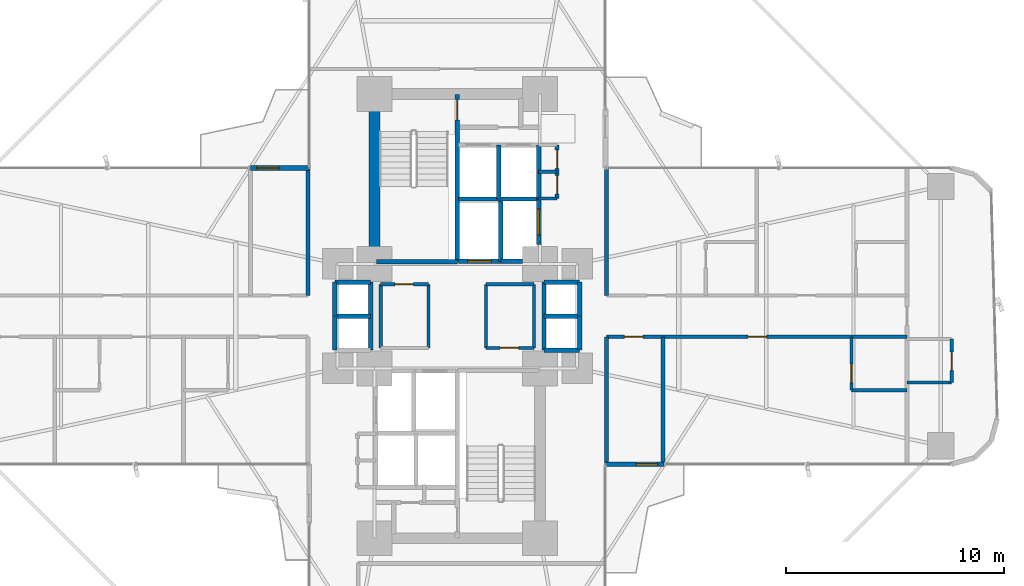
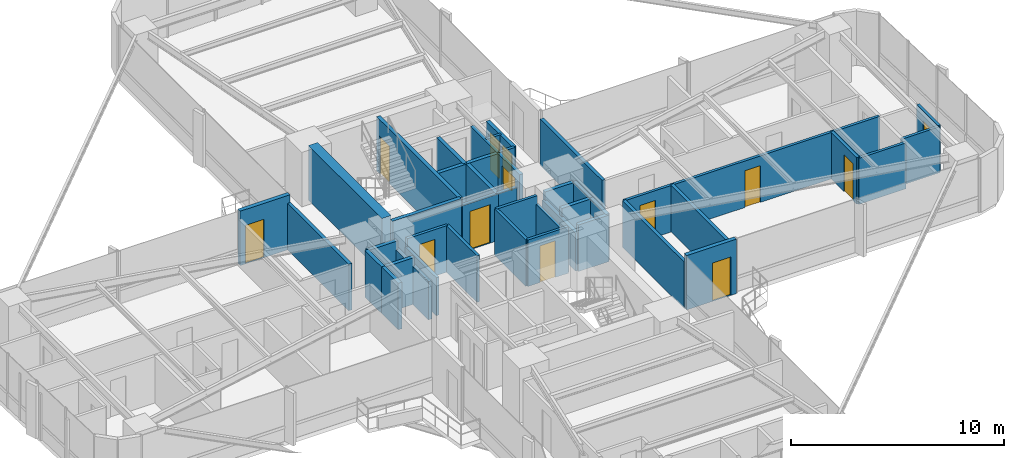
# One storey, part 23 of 25: 42 walls, 13 doors, 13 openings.
"""IFC4 building model written with IfcOpenShell, lengths in metres."""

from ifc_helpers import new_model, si_unit, direction, frame, frame_2d, origin, origin_2d, place, context, subcontext, project, spatial, rectangle, extrude, source, transform, mapped, material, layer, layer_set, type_object, element, fill, save


model = new_model("IFC4")

# Units and contexts
model_context = context("Model", 3, precision=1e-05, world=origin(), true_north=direction((0.0, 1.0)))
body_context = subcontext(model_context, "Body", "Model", "MODEL_VIEW")
ifc_project = project(units=[si_unit("LENGTHUNIT", "METRE"), si_unit("AREAUNIT", "SQUARE_METRE"), si_unit("VOLUMEUNIT", "CUBIC_METRE"), si_unit("PLANEANGLEUNIT", "RADIAN"), si_unit("MASSUNIT", "GRAM", prefix="KILO")], contexts=[model_context])

# Site, building, storey
site_placement = place(None, origin())
site = spatial("IfcSite", under=ifc_project, at=site_placement, CompositionType="ELEMENT")
building_placement = place(site_placement, origin())
building = spatial("IfcBuilding", under=site, at=building_placement, Name="Sahyath Konkavel Grand Hotel", CompositionType="ELEMENT")
storey_placement = place(building_placement, frame((0.0, 0.0, 57.75)))
storey = spatial("IfcBuildingStorey", under=building, at=storey_placement, Name="L15", CompositionType="ELEMENT", Elevation=57.75)

# Wall
ifc_material_1 = material(Name="Concrete C70/85", Category="concrete")
ifc_layer_1 = layer(ifc_material_1, 0.5)
ifc_layer_set_1 = layer_set([ifc_layer_1], Name="Concrete C70/85")
wall_type_1 = type_object("IfcWallType", Name="CWALL-500", PredefinedType="SHEAR", material=ifc_layer_set_1)
wall_1_placement = place(storey_placement, frame((-3.800048828125, 2.85009765625, 0.0), z_axis=(0.0, 0.0, 1.0), x_axis=(0.0, 1.0, 0.0)))
element("IfcWall", 1, at=wall_1_placement, inside=storey, type_object=wall_type_1, Name="L15 North Core Shear Wall W", PredefinedType="SHEAR", context=body_context, shape_type="SweptSolid", body=[
    extrude(rectangle(XDim=6.89990234375, YDim=0.5, at=frame_2d((3.449951171875, 0.0))), origin(), (0.0, 0.0, 1.0), 3.110107421875),
])

# Wall, opening, door
ifc_material_2 = material(Name="Warm Buff Sandstone Insulated Concrete C40/50", Category="masonry")
ifc_layer_2 = layer(ifc_material_2, 0.219970703125)
ifc_layer_set_2 = layer_set([ifc_layer_2], Name="Warm Buff Sandstone Insulated Concrete C40/50")
wall_type_2 = type_object("IfcWallType", Name="WLL-BALC-THRESH", PredefinedType="STANDARD", material=ifc_layer_set_2)
wall_2_placement = place(storey_placement, frame((6.800048828125, -6.800048828125, 0.0), z_axis=(0.0, 0.0, 1.0), x_axis=(1.0, 0.0, 0.0)))
wall_2 = element("IfcWall", 2, at=wall_2_placement, inside=storey, type_object=wall_type_2, Name="L15 Winter-Garden Threshold Wall 0", PredefinedType="STANDARD", context=body_context, shape_type="SweptSolid", body=[
    extrude(rectangle(XDim=2.699951171875, YDim=0.219970703125, at=frame_2d((1.35009765625, 0.0))), origin(), (0.0, 0.0, 1.0), 3.110107421875),
])
opening_1_placement = place(wall_2_placement, frame((1.39990234375, 0.0, 0.0)))
opening_1 = element("IfcOpeningElement", 3, at=opening_1_placement, cuts=wall_2, Name="Opening D-TR1", PredefinedType="OPENING", context=body_context, shape_type="SweptSolid", body=[
    extrude(rectangle(XDim=1.0, YDim=2.199951171875, at=frame_2d((0.5, 1.10009765625))), frame((0.0, 0.1201171875, 0.0), z_axis=(0.0, -1.0, 0.0), x_axis=(1.0, 0.0, 0.0)), (0.0, 0.0, 1.0), 0.239990234375),
])
ifc_material_3 = material(Name="Anodised Bronze Aluminium & Low-E Glazing", Category="aluminium")
door_type_1 = type_object("IfcDoorType", Name="DR-TERRACE-1000", OperationType="NOTDEFINED", PredefinedType="DOOR", material=ifc_material_3)
shared_shape_1 = source(origin(), body_context, "Body", "SweptSolid", [
    extrude(rectangle(XDim=1.0, YDim=0.050048828125, at=origin_2d()), origin(), (0.0, 0.0, 1.0), 2.199951171875),
])
door_1_placement = place(opening_1_placement, frame((0.5, 0.0, 0.0)))
door_1 = element("IfcDoor", 4, at=door_1_placement, inside=storey, type_object=door_type_1, Name="L15 Winter-Garden Terrace Door 0", OperationType="SINGLE_SWING_LEFT", OverallHeight=2.199951171875, OverallWidth=1.0, PredefinedType="DOOR", context=body_context, shape_type="MappedRepresentation", body=[
    mapped(shared_shape_1, transform((0.0, 0.0, 0.0), scale=1.0)),
])
fill(opening_1, door_1)

wall_3_placement = place(storey_placement, frame((-6.800048828125, 6.800048828125, 0.0), z_axis=(0.0, 0.0, 1.0), x_axis=(-1.0, 0.0, 0.0)))
wall_3 = element("IfcWall", 5, at=wall_3_placement, inside=storey, type_object=wall_type_2, Name="L15 Winter-Garden Threshold Wall 16", PredefinedType="STANDARD", context=body_context, shape_type="SweptSolid", body=[
    extrude(rectangle(XDim=2.699951171875, YDim=0.219970703125, at=frame_2d((1.35009765625, 0.0))), origin(), (0.0, 0.0, 1.0), 3.110107421875),
])
opening_2_placement = place(wall_3_placement, frame((1.39990234375, 0.0, 0.0)))
opening_2 = element("IfcOpeningElement", 6, at=opening_2_placement, cuts=wall_3, Name="Opening D-TR1", PredefinedType="OPENING", context=body_context, shape_type="SweptSolid", body=[
    extrude(rectangle(XDim=1.0, YDim=2.199951171875, at=frame_2d((0.5, 1.10009765625))), frame((0.0, 0.1201171875, 0.0), z_axis=(0.0, -1.0, 0.0), x_axis=(1.0, 0.0, 0.0)), (0.0, 0.0, 1.0), 0.239990234375),
])
door_2_placement = place(opening_2_placement, frame((0.5, 0.0, 0.0)))
door_2 = element("IfcDoor", 7, at=door_2_placement, inside=storey, type_object=door_type_1, Name="L15 Winter-Garden Terrace Door 16", OperationType="SINGLE_SWING_LEFT", OverallHeight=2.199951171875, OverallWidth=1.0, PredefinedType="DOOR", context=body_context, shape_type="MappedRepresentation", body=[
    mapped(shared_shape_1, transform((0.0, 0.0, 0.0), scale=1.0)),
])
fill(opening_2, door_2)

ifc_material_4 = material(Name="Concrete C40/50", Category="concrete")
ifc_layer_3 = layer(ifc_material_4, 0.199951171875)
ifc_layer_set_3 = layer_set([ifc_layer_3], Name="Concrete C40/50")
wall_type_3 = type_object("IfcWallType", Name="WLL-CORE-200", PredefinedType="SOLIDWALL", material=ifc_layer_set_3)
wall_4_placement = place(storey_placement, frame((0.0, 2.5, 0.0), z_axis=(0.0, 0.0, 1.0), x_axis=(0.0, 1.0, 0.0)))
wall_4 = element("IfcWall", 8, at=wall_4_placement, inside=storey, type_object=wall_type_3, Name="L15 Stair ST-1 Shaft Wall E", PredefinedType="SOLIDWALL", context=body_context, shape_type="SweptSolid", body=[
    extrude(rectangle(XDim=7.679931640625, YDim=0.199951171875, at=frame_2d((3.83984375, 0.0))), origin(), (0.0, 0.0, 1.0), 3.110107421875),
])
opening_3_placement = place(wall_4_placement, frame((6.5, 0.0, 0.0)))
opening_3 = element("IfcOpeningElement", 9, at=opening_3_placement, cuts=wall_4, Name="Opening D-F12C", PredefinedType="OPENING", context=body_context, shape_type="SweptSolid", body=[
    extrude(rectangle(XDim=0.949951171875, YDim=2.14990234375, at=frame_2d((0.47509765625, 1.074951171875))), frame((0.0, 0.10986328125, 0.0), z_axis=(0.0, -1.0, 0.0), x_axis=(1.0, 0.0, 0.0)), (0.0, 0.0, 1.0), 0.219970703125),
])
ifc_material_5 = material(Name="Steel E350 Plant Fire Door", Category="steel")
door_type_2 = type_object("IfcDoorType", Name="DR-FD120-950", OperationType="NOTDEFINED", PredefinedType="DOOR", material=ifc_material_5)
shared_shape_2 = source(origin(), body_context, "Body", "SweptSolid", [
    extrude(rectangle(XDim=0.949951171875, YDim=0.050048828125, at=origin_2d()), origin(), (0.0, 0.0, 1.0), 2.14990234375),
])
door_3_placement = place(opening_3_placement, frame((0.47509765625, 0.0, 0.0)))
door_3 = element("IfcDoor", 10, at=door_3_placement, inside=storey, type_object=door_type_2, Name="L15 Stair ST-1 Fire Door", OperationType="SINGLE_SWING_LEFT", OverallHeight=2.14990234375, OverallWidth=0.949951171875, PredefinedType="DOOR", context=body_context, shape_type="MappedRepresentation", body=[
    mapped(shared_shape_2, transform((0.0, 0.0, 0.0), scale=1.0)),
])
fill(opening_3, door_3)

# Walls
wall_5_placement = place(storey_placement, frame((-3.719970703125, 2.5, 0.0), z_axis=(0.0, 0.0, 1.0), x_axis=(1.0, 0.0, 0.0)))
element("IfcWall", 11, at=wall_5_placement, inside=storey, type_object=wall_type_3, Name="L15 Stair ST-1 Shaft Wall S", PredefinedType="SOLIDWALL", context=body_context, shape_type="SweptSolid", body=[
    extrude(rectangle(XDim=3.719970703125, YDim=0.199951171875, at=frame_2d((1.85986328125, 0.0))), origin(), (0.0, 0.0, 1.0), 3.110107421875),
])
wall_6_placement = place(storey_placement, frame((2.0, 2.5, 0.0), z_axis=(0.0, 0.0, 1.0), x_axis=(0.0, 1.0, 0.0)))
element("IfcWall", 12, at=wall_6_placement, inside=storey, type_object=wall_type_3, Name="L15 Partition SH-FFL1-E", PredefinedType="SOLIDWALL", context=body_context, shape_type="SweptSolid", body=[
    extrude(rectangle(XDim=2.780029296875, YDim=0.199951171875, at=frame_2d((1.39013671875, 0.0))), origin(), (0.0, 0.0, 1.0), 2.659912109375),
])

# Wall, opening, door
wall_7_placement = place(storey_placement, frame((0.050048828125, 2.52001953125, 0.0), z_axis=(0.0, 0.0, 1.0), x_axis=(1.0, 0.0, 0.0)))
wall_7 = element("IfcWall", 13, at=wall_7_placement, inside=storey, type_object=wall_type_3, Name="L15 Partition SH-FFL1-S", PredefinedType="SOLIDWALL", context=body_context, shape_type="SweptSolid", body=[
    extrude(rectangle(XDim=1.949951171875, YDim=0.199951171875, at=frame_2d((0.97509765625, 0.0))), origin(), (0.0, 0.0, 1.0), 2.659912109375),
])
opening_4_placement = place(wall_7_placement, frame((0.419921875, 0.0, 0.0)))
opening_4 = element("IfcOpeningElement", 14, at=opening_4_placement, cuts=wall_7, Name="Opening LD-11", PredefinedType="OPENING", context=body_context, shape_type="SweptSolid", body=[
    extrude(rectangle(XDim=1.10009765625, YDim=2.199951171875, at=frame_2d((0.550048828125, 1.10009765625))), frame((0.0, 0.10986328125, 0.0), z_axis=(0.0, -1.0, 0.0), x_axis=(1.0, 0.0, 0.0)), (0.0, 0.0, 1.0), 0.219970703125),
])
ifc_material_6 = material(Name="Bronze Lift Landing Door 1100")
door_type_3 = type_object("IfcDoorType", Name="DR-LIFT-1100", OperationType="DOUBLE_DOOR_SLIDING", PredefinedType="DOOR", material=ifc_material_6)
shared_shape_3 = source(origin(), body_context, "Body", "SweptSolid", [
    extrude(rectangle(XDim=1.10009765625, YDim=0.050048828125, at=origin_2d()), origin(), (0.0, 0.0, 1.0), 2.199951171875),
])
door_4_placement = place(opening_4_placement, frame((0.550048828125, 0.0, 0.0)))
door_4 = element("IfcDoor", 15, at=door_4_placement, inside=storey, type_object=door_type_3, Name="L15 Lift FFL-1 Landing Door", OperationType="DOUBLE_DOOR_SLIDING", OverallHeight=2.199951171875, OverallWidth=1.10009765625, PredefinedType="DOOR", context=body_context, shape_type="MappedRepresentation", body=[
    mapped(shared_shape_3, transform((0.0, 0.0, 0.0), scale=1.0)),
])
fill(opening_4, door_4)

# Wall
wall_8_placement = place(storey_placement, frame((2.0, 2.52001953125, 0.0), z_axis=(0.0, 0.0, 1.0), x_axis=(1.0, 0.0, 0.0)))
element("IfcWall", 16, at=wall_8_placement, inside=storey, type_object=wall_type_3, Name="L15 Partition SH-SVL1-S", PredefinedType="SOLIDWALL", context=body_context, shape_type="SweptSolid", body=[
    extrude(rectangle(XDim=1.0, YDim=0.199951171875, at=frame_2d((0.5, 0.0))), origin(), (0.0, 0.0, 1.0), 2.659912109375),
])

# Wall, opening, door
wall_9_placement = place(storey_placement, frame((3.739990234375, 3.280029296875, 0.0), z_axis=(0.0, 0.0, 1.0), x_axis=(0.0, 1.0, 0.0)))
wall_9 = element("IfcWall", 17, at=wall_9_placement, inside=storey, type_object=wall_type_3, Name="L15 Partition SH-SVL1-E", PredefinedType="SOLIDWALL", context=body_context, shape_type="SweptSolid", body=[
    extrude(rectangle(XDim=2.080078125, YDim=0.199951171875, at=frame_2d((1.0400390625, 0.0))), origin(), (0.0, 0.0, 1.0), 2.659912109375),
])
opening_5_placement = place(wall_9_placement, frame((0.43994140625, 0.0, 0.0)))
opening_5 = element("IfcOpeningElement", 18, at=opening_5_placement, cuts=wall_9, Name="Opening LD-12", PredefinedType="OPENING", context=body_context, shape_type="SweptSolid", body=[
    extrude(rectangle(XDim=1.199951171875, YDim=2.199951171875, at=frame_2d((0.60009765625, 1.10009765625))), frame((0.0, 0.10986328125, 0.0), z_axis=(0.0, -1.0, 0.0), x_axis=(1.0, 0.0, 0.0)), (0.0, 0.0, 1.0), 0.219970703125),
])
ifc_material_7 = material(Name="Stainless Steel Lift Landing Door 1200", Category="steel")
door_type_4 = type_object("IfcDoorType", Name="DR-LIFT-1200", OperationType="DOUBLE_DOOR_SLIDING", PredefinedType="DOOR", material=ifc_material_7)
shared_shape_4 = source(origin(), body_context, "Body", "SweptSolid", [
    extrude(rectangle(XDim=1.199951171875, YDim=0.050048828125, at=origin_2d()), origin(), (0.0, 0.0, 1.0), 2.199951171875),
])
door_5_placement = place(opening_5_placement, frame((0.60009765625, 0.0, 0.0)))
door_5 = element("IfcDoor", 19, at=door_5_placement, inside=storey, type_object=door_type_4, Name="L15 Service Lift SVL-1 Landing Door", OperationType="DOUBLE_DOOR_SLIDING", OverallHeight=2.199951171875, OverallWidth=1.199951171875, PredefinedType="DOOR", context=body_context, shape_type="MappedRepresentation", body=[
    mapped(shared_shape_4, transform((0.0, 0.0, 0.0), scale=1.0)),
])
fill(opening_5, door_5)

# Walls
wall_10_placement = place(storey_placement, frame((0.050048828125, 5.3798828125, 0.0), z_axis=(0.0, 0.0, 1.0), x_axis=(1.0, 0.0, 0.0)))
element("IfcWall", 20, at=wall_10_placement, inside=storey, type_object=wall_type_3, Name="L15 Partition SH-PL12-S", PredefinedType="SOLIDWALL", context=body_context, shape_type="SweptSolid", body=[
    extrude(rectangle(XDim=3.68994140625, YDim=0.199951171875, at=frame_2d((1.844970703125, 0.0))), origin(), (0.0, 0.0, 1.0), 2.659912109375),
])
for number, where, z_axis, x_axis, name in (
    (21, (1.89990234375, 5.3798828125, 0.0), (0.0, 0.0, 1.0), (0.0, 1.0, 0.0), "L15 Partition SH-PL12-M"),
    (22, (3.739990234375, 5.3798828125, 0.0), (0.0, 0.0, 1.0), (0.0, 1.0, 0.0), "L15 Partition SH-PL2-E"),
):
    element("IfcWall", number, at=place(storey_placement, frame(where, z_axis=z_axis, x_axis=x_axis)), inside=storey, type_object=wall_type_3, Name=name, PredefinedType="SOLIDWALL", context=body_context, shape_type="SweptSolid", body=[
        extrude(rectangle(XDim=2.480224609375, YDim=0.199951171875, at=frame_2d((1.240234375, 0.0))), origin(), (0.0, 0.0, 1.0), 2.659912109375),
    ])
wall_11_placement = place(storey_placement, frame((3.97998046875, -1.56005859375, 0.0), z_axis=(0.0, 0.0, 1.0), x_axis=(0.0, 1.0, 0.0)))
element("IfcWall", 23, at=wall_11_placement, inside=storey, type_object=wall_type_3, Name="L15 Partition SH-PL56-W", PredefinedType="SOLIDWALL", context=body_context, shape_type="SweptSolid", body=[
    extrude(rectangle(XDim=3.1201171875, YDim=0.199951171875, at=frame_2d((1.56005859375, 0.0))), origin(), (0.0, 0.0, 1.0), 2.179931640625),
])
for number, where, z_axis, x_axis, name in (
    (24, (3.97998046875, 1.56005859375, 0.0), (0.0, 0.0, 1.0), (1.0, 0.0, 0.0), "L15 Partition SH-PL56-N"),
    (25, (3.97998046875, -1.56005859375, 0.0), (0.0, 0.0, 1.0), (1.0, 0.0, 0.0), "L15 Partition SH-PL56-S"),
    (26, (3.97998046875, 0.0, 0.0), (0.0, 0.0, 1.0), (1.0, 0.0, 0.0), "L15 Partition SH-PL56-M"),
):
    element("IfcWall", number, at=place(storey_placement, frame(where, z_axis=z_axis, x_axis=x_axis)), inside=storey, type_object=wall_type_3, Name=name, PredefinedType="SOLIDWALL", context=body_context, shape_type="SweptSolid", body=[
        extrude(rectangle(XDim=1.64013671875, YDim=0.199951171875, at=frame_2d((0.820068359375, 0.0))), origin(), (0.0, 0.0, 1.0), 2.659912109375),
    ])
for number, where, z_axis, x_axis, name in (
    (27, (5.6201171875, 0.0, 0.0), (0.0, 0.0, 1.0), (0.0, 1.0, 0.0), "L15 Partition SH-PL5-E"),
    (28, (5.6201171875, -1.56005859375, 0.0), (0.0, 0.0, 1.0), (0.0, 1.0, 0.0), "L15 Partition SH-PL6-E"),
):
    element("IfcWall", number, at=place(storey_placement, frame(where, z_axis=z_axis, x_axis=x_axis)), inside=storey, type_object=wall_type_3, Name=name, PredefinedType="SOLIDWALL", context=body_context, shape_type="SweptSolid", body=[
        extrude(rectangle(XDim=1.56005859375, YDim=0.199951171875, at=frame_2d((0.780029296875, 0.0))), origin(), (0.0, 0.0, 1.0), 2.659912109375),
    ])
wall_12_placement = place(storey_placement, frame((-3.97998046875, -1.56005859375, 0.0), z_axis=(0.0, 0.0, 1.0), x_axis=(0.0, 1.0, 0.0)))
element("IfcWall", 29, at=wall_12_placement, inside=storey, type_object=wall_type_3, Name="L15 Partition SH-SL12-E", PredefinedType="SOLIDWALL", context=body_context, shape_type="SweptSolid", body=[
    extrude(rectangle(XDim=3.1201171875, YDim=0.199951171875, at=frame_2d((1.56005859375, 0.0))), origin(), (0.0, 0.0, 1.0), 2.179931640625),
])
for number, where, z_axis, x_axis, name in (
    (30, (-5.6201171875, 1.56005859375, 0.0), (0.0, 0.0, 1.0), (1.0, 0.0, 0.0), "L15 Partition SH-SL12-N"),
    (31, (-5.6201171875, 0.0, 0.0), (0.0, 0.0, 1.0), (1.0, 0.0, 0.0), "L15 Partition SH-SL12-M"),
):
    element("IfcWall", number, at=place(storey_placement, frame(where, z_axis=z_axis, x_axis=x_axis)), inside=storey, type_object=wall_type_3, Name=name, PredefinedType="SOLIDWALL", context=body_context, shape_type="SweptSolid", body=[
        extrude(rectangle(XDim=1.64013671875, YDim=0.199951171875, at=frame_2d((0.820068359375, 0.0))), origin(), (0.0, 0.0, 1.0), 2.659912109375),
    ])
for number, where, z_axis, x_axis, name in (
    (32, (-5.6201171875, 0.0, 0.0), (0.0, 0.0, 1.0), (0.0, 1.0, 0.0), "L15 Partition SH-SL1-W"),
    (33, (-5.6201171875, -1.56005859375, 0.0), (0.0, 0.0, 1.0), (0.0, 1.0, 0.0), "L15 Partition SH-SL2-W"),
):
    element("IfcWall", number, at=place(storey_placement, frame(where, z_axis=z_axis, x_axis=x_axis)), inside=storey, type_object=wall_type_3, Name=name, PredefinedType="SOLIDWALL", context=body_context, shape_type="SweptSolid", body=[
        extrude(rectangle(XDim=1.56005859375, YDim=0.199951171875, at=frame_2d((0.780029296875, 0.0))), origin(), (0.0, 0.0, 1.0), 2.659912109375),
    ])

# Wall, openings, doors
wall_13_placement = place(storey_placement, frame((4.580078125, 5.39990234375, 0.0), z_axis=(0.0, 0.0, 1.0), x_axis=(0.0, 1.0, 0.0)))
wall_13 = element("IfcWall", 34, at=wall_13_placement, inside=storey, type_object=wall_type_3, Name="L15 Partition NC-FLK-E", PredefinedType="SOLIDWALL", context=body_context, shape_type="SweptSolid", body=[
    extrude(rectangle(XDim=2.460205078125, YDim=0.199951171875, at=frame_2d((1.22998046875, 0.0))), origin(), (0.0, 0.0, 1.0), 2.659912109375),
])
opening_6_placement = place(wall_13_placement, frame((0.199951171875, 0.0, 0.0)))
opening_6 = element("IfcOpeningElement", 35, at=opening_6_placement, cuts=wall_13, Name="Opening D-F06D", PredefinedType="OPENING", context=body_context, shape_type="SweptSolid", body=[
    extrude(rectangle(XDim=0.85009765625, YDim=2.10009765625, at=frame_2d((0.425048828125, 1.050048828125))), frame((0.0, 0.10986328125, 0.0), z_axis=(0.0, -1.0, 0.0), x_axis=(1.0, 0.0, 0.0)), (0.0, 0.0, 1.0), 0.219970703125),
])
opening_7_placement = place(wall_13_placement, frame((1.3798828125, 0.0, 0.0)))
opening_7 = element("IfcOpeningElement", 36, at=opening_7_placement, cuts=wall_13, Name="Opening D-F06D", PredefinedType="OPENING", context=body_context, shape_type="SweptSolid", body=[
    extrude(rectangle(XDim=0.85009765625, YDim=2.10009765625, at=frame_2d((0.425048828125, 1.050048828125))), frame((0.0, 0.10986328125, 0.0), z_axis=(0.0, -1.0, 0.0), x_axis=(1.0, 0.0, 0.0)), (0.0, 0.0, 1.0), 0.219970703125),
])
ifc_material_8 = material(Name="Fire-Rated Shaft Access Door")
door_type_5 = type_object("IfcDoorType", Name="DR-FD60-850", OperationType="NOTDEFINED", PredefinedType="DOOR", material=ifc_material_8)
shared_shape_5 = source(origin(), body_context, "Body", "SweptSolid", [
    extrude(rectangle(XDim=0.85009765625, YDim=0.050048828125, at=origin_2d()), origin(), (0.0, 0.0, 1.0), 2.10009765625),
])
door_6_placement = place(opening_6_placement, frame((0.425048828125, 0.0, 0.0)))
door_6 = element("IfcDoor", 37, at=door_6_placement, inside=storey, type_object=door_type_5, Name="L15 Door NC-FLK1-D", OperationType="SINGLE_SWING_RIGHT", OverallHeight=2.10009765625, OverallWidth=0.85009765625, PredefinedType="DOOR", context=body_context, shape_type="MappedRepresentation", body=[
    mapped(shared_shape_5, transform((0.0, 0.0, 0.0), scale=1.0)),
])
fill(opening_6, door_6)
door_7_placement = place(opening_7_placement, frame((0.425048828125, 0.0, 0.0)))
door_7 = element("IfcDoor", 38, at=door_7_placement, inside=storey, type_object=door_type_5, Name="L15 Door NC-FLK2-D", OperationType="SINGLE_SWING_LEFT", OverallHeight=2.10009765625, OverallWidth=0.85009765625, PredefinedType="DOOR", context=body_context, shape_type="MappedRepresentation", body=[
    mapped(shared_shape_5, transform((0.0, 0.0, 0.0), scale=1.0)),
])
fill(opening_7, door_7)

# Walls
ifc_material_9 = material(Name="Twin-Stud Acoustic Gypsum Plasterboard Partition")
ifc_layer_4 = layer(ifc_material_9, 0.179931640625)
ifc_layer_set_4 = layer_set([ifc_layer_4], Name="Twin-Stud Acoustic Gypsum Plasterboard Partition")
wall_type_4 = type_object("IfcWallType", Name="WLL-DEMISE-180", PredefinedType="PARTITIONING", material=ifc_layer_set_4)
for number, where, z_axis, x_axis, name in (
    (39, (6.85009765625, 0.949951171875, 0.0), (0.0, 0.0, 1.0), (0.0, 1.0, 0.0), "L15 Partition E-INL"),
    (40, (6.85009765625, -6.75, 0.0), (0.0, 0.0, 1.0), (0.0, 1.0, 0.0), "L15 Partition E-INR"),
    (41, (9.449951171875, -0.949951171875, 0.0), (0.0, 0.0, 1.0), (0.0, -1.0, 0.0), "L15 Partition E-EHK-DEM"),
    (42, (-6.85009765625, 6.75, 0.0), (0.0, 0.0, 1.0), (0.0, -1.0, 0.0), "L15 Partition W-INR"),
):
    element("IfcWall", number, at=place(storey_placement, frame(where, z_axis=z_axis, x_axis=x_axis)), inside=storey, type_object=wall_type_4, Name=name, PredefinedType="PARTITIONING", context=body_context, shape_type="SweptSolid", body=[
        extrude(rectangle(XDim=5.800048828125, YDim=0.179931640625, at=frame_2d((2.89990234375, 0.0))), origin(), (0.0, 0.0, 1.0), 2.659912109375),
    ])
ifc_material_10 = material(Name="Fire-Rated Gypsum Plasterboard Partition")
ifc_layer_5 = layer(ifc_material_10, 0.14990234375)
ifc_layer_set_5 = layer_set([ifc_layer_5], Name="Fire-Rated Gypsum Plasterboard Partition")
wall_type_5 = type_object("IfcWallType", Name="WLL-PART-150", PredefinedType="PARTITIONING", material=ifc_layer_set_5)
for number, where, z_axis, x_axis, name in (
    (43, (3.739990234375, 5.39990234375, 0.0), (0.0, 0.0, 1.0), (1.0, 0.0, 0.0), "L15 Partition NC-FLK-S"),
    (44, (3.739990234375, 6.6298828125, 0.0), (0.0, 0.0, 1.0), (1.0, 0.0, 0.0), "L15 Partition NC-FLK-M"),
):
    element("IfcWall", number, at=place(storey_placement, frame(where, z_axis=z_axis, x_axis=x_axis)), inside=storey, type_object=wall_type_5, Name=name, PredefinedType="PARTITIONING", context=body_context, shape_type="SweptSolid", body=[
        extrude(rectangle(XDim=0.840087890625, YDim=0.14990234375, at=frame_2d((0.419921875, 0.0))), origin(), (0.0, 0.0, 1.0), 2.659912109375),
    ])
wall_14_placement = place(storey_placement, frame((-1.320068359375, -1.4599609375, 0.0), z_axis=(0.0, 0.0, 1.0), x_axis=(0.0, 1.0, 0.0)))
element("IfcWall", 45, at=wall_14_placement, inside=storey, type_object=wall_type_5, Name="L15 Partition CC-1WI", PredefinedType="PARTITIONING", context=body_context, shape_type="SweptSolid", body=[
    extrude(rectangle(XDim=2.919921875, YDim=0.14990234375, at=frame_2d((1.4599609375, 0.0))), origin(), (0.0, 0.0, 1.0), 2.659912109375),
])
wall_15_placement = place(storey_placement, frame((-3.52001953125, -1.4599609375, 0.0), z_axis=(0.0, 0.0, 1.0), x_axis=(0.0, 1.0, 0.0)))
element("IfcWall", 46, at=wall_15_placement, inside=storey, type_object=wall_type_5, Name="L15 Partition CC-1WO", PredefinedType="PARTITIONING", context=body_context, shape_type="SweptSolid", body=[
    extrude(rectangle(XDim=2.919921875, YDim=0.14990234375, at=frame_2d((1.4599609375, 0.0))), origin(), (0.0, 0.0, 1.0), 2.179931640625),
])

# Wall, opening, door
wall_16_placement = place(storey_placement, frame((-3.52001953125, 1.4599609375, 0.0), z_axis=(0.0, 0.0, 1.0), x_axis=(1.0, 0.0, 0.0)))
wall_16 = element("IfcWall", 47, at=wall_16_placement, inside=storey, type_object=wall_type_5, Name="L15 Partition CC-1WN", PredefinedType="PARTITIONING", context=body_context, shape_type="SweptSolid", body=[
    extrude(rectangle(XDim=2.199951171875, YDim=0.14990234375, at=frame_2d((1.10009765625, 0.0))), origin(), (0.0, 0.0, 1.0), 2.659912109375),
])
opening_8_placement = place(wall_16_placement, frame((0.64990234375, 0.0, 0.0)))
opening_8 = element("IfcOpeningElement", 48, at=opening_8_placement, cuts=wall_16, Name="Opening D-F06D", PredefinedType="OPENING", context=body_context, shape_type="SweptSolid", body=[
    extrude(rectangle(XDim=0.85009765625, YDim=2.10009765625, at=frame_2d((0.425048828125, 1.050048828125))), frame((0.0, 0.0849609375, 0.0), z_axis=(0.0, -1.0, 0.0), x_axis=(1.0, 0.0, 0.0)), (0.0, 0.0, 1.0), 0.169921875),
])
door_8_placement = place(opening_8_placement, frame((0.425048828125, 0.0, 0.0)))
door_8 = element("IfcDoor", 49, at=door_8_placement, inside=storey, type_object=door_type_5, Name="L15 Door CC-D1W", OperationType="SINGLE_SWING_RIGHT", OverallHeight=2.10009765625, OverallWidth=0.85009765625, PredefinedType="DOOR", context=body_context, shape_type="MappedRepresentation", body=[
    mapped(shared_shape_5, transform((0.0, 0.0, 0.0), scale=1.0)),
])
fill(opening_8, door_8)

# Walls
wall_17_placement = place(storey_placement, frame((1.320068359375, -1.4599609375, 0.0), z_axis=(0.0, 0.0, 1.0), x_axis=(0.0, 1.0, 0.0)))
element("IfcWall", 50, at=wall_17_placement, inside=storey, type_object=wall_type_5, Name="L15 Partition CC-1EI", PredefinedType="PARTITIONING", context=body_context, shape_type="SweptSolid", body=[
    extrude(rectangle(XDim=2.919921875, YDim=0.14990234375, at=frame_2d((1.4599609375, 0.0))), origin(), (0.0, 0.0, 1.0), 2.659912109375),
])
wall_18_placement = place(storey_placement, frame((3.52001953125, -1.4599609375, 0.0), z_axis=(0.0, 0.0, 1.0), x_axis=(0.0, 1.0, 0.0)))
element("IfcWall", 51, at=wall_18_placement, inside=storey, type_object=wall_type_5, Name="L15 Partition CC-1EO", PredefinedType="PARTITIONING", context=body_context, shape_type="SweptSolid", body=[
    extrude(rectangle(XDim=2.919921875, YDim=0.14990234375, at=frame_2d((1.4599609375, 0.0))), origin(), (0.0, 0.0, 1.0), 2.179931640625),
])
wall_19_placement = place(storey_placement, frame((1.320068359375, 1.4599609375, 0.0), z_axis=(0.0, 0.0, 1.0), x_axis=(1.0, 0.0, 0.0)))
element("IfcWall", 52, at=wall_19_placement, inside=storey, type_object=wall_type_5, Name="L15 Partition CC-1EN", PredefinedType="PARTITIONING", context=body_context, shape_type="SweptSolid", body=[
    extrude(rectangle(XDim=2.199951171875, YDim=0.14990234375, at=frame_2d((1.10009765625, 0.0))), origin(), (0.0, 0.0, 1.0), 2.659912109375),
])

# Wall, opening, door
wall_20_placement = place(storey_placement, frame((1.320068359375, -1.4599609375, 0.0), z_axis=(0.0, 0.0, 1.0), x_axis=(1.0, 0.0, 0.0)))
wall_20 = element("IfcWall", 53, at=wall_20_placement, inside=storey, type_object=wall_type_5, Name="L15 Partition CC-1ES", PredefinedType="PARTITIONING", context=body_context, shape_type="SweptSolid", body=[
    extrude(rectangle(XDim=2.199951171875, YDim=0.14990234375, at=frame_2d((1.10009765625, 0.0))), origin(), (0.0, 0.0, 1.0), 2.659912109375),
])
opening_9_placement = place(wall_20_placement, frame((0.64990234375, 0.0, 0.0)))
opening_9 = element("IfcOpeningElement", 54, at=opening_9_placement, cuts=wall_20, Name="Opening D-F06D", PredefinedType="OPENING", context=body_context, shape_type="SweptSolid", body=[
    extrude(rectangle(XDim=0.85009765625, YDim=2.10009765625, at=frame_2d((0.425048828125, 1.050048828125))), frame((0.0, 0.0849609375, 0.0), z_axis=(0.0, -1.0, 0.0), x_axis=(1.0, 0.0, 0.0)), (0.0, 0.0, 1.0), 0.169921875),
])
door_9_placement = place(opening_9_placement, frame((0.425048828125, 0.0, 0.0)))
door_9 = element("IfcDoor", 55, at=door_9_placement, inside=storey, type_object=door_type_5, Name="L15 Door CC-D1E", OperationType="SINGLE_SWING_LEFT", OverallHeight=2.10009765625, OverallWidth=0.85009765625, PredefinedType="DOOR", context=body_context, shape_type="MappedRepresentation", body=[
    mapped(shared_shape_5, transform((0.0, 0.0, 0.0), scale=1.0)),
])
fill(opening_9, door_9)

# Wall, openings, doors
wall_21_placement = place(storey_placement, frame((6.85009765625, -0.949951171875, 0.0), z_axis=(0.0, 0.0, 1.0), x_axis=(1.0, 0.0, 0.0)))
wall_21 = element("IfcWall", 56, at=wall_21_placement, inside=storey, type_object=wall_type_5, Name="L15 Partition E-CR", PredefinedType="PARTITIONING", context=body_context, shape_type="SweptSolid", body=[
    extrude(rectangle(XDim=13.7998046875, YDim=0.14990234375, at=frame_2d((6.89990234375, 0.0))), origin(), (0.0, 0.0, 1.0), 2.659912109375),
])
opening_10_placement = place(wall_21_placement, frame((0.824951171875, 0.0, 0.0)))
opening_10 = element("IfcOpeningElement", 57, at=opening_10_placement, cuts=wall_21, Name="Opening D-F06D", PredefinedType="OPENING", context=body_context, shape_type="SweptSolid", body=[
    extrude(rectangle(XDim=0.85009765625, YDim=2.10009765625, at=frame_2d((0.425048828125, 1.050048828125))), frame((0.0, 0.0849609375, 0.0), z_axis=(0.0, -1.0, 0.0), x_axis=(1.0, 0.0, 0.0)), (0.0, 0.0, 1.0), 0.169921875),
])
opening_11_placement = place(wall_21_placement, frame((6.5, 0.0, 0.0)))
opening_11 = element("IfcOpeningElement", 58, at=opening_11_placement, cuts=wall_21, Name="Opening D-F06D", PredefinedType="OPENING", context=body_context, shape_type="SweptSolid", body=[
    extrude(rectangle(XDim=0.85009765625, YDim=2.10009765625, at=frame_2d((0.425048828125, 1.050048828125))), frame((0.0, 0.0849609375, 0.0), z_axis=(0.0, -1.0, 0.0), x_axis=(1.0, 0.0, 0.0)), (0.0, 0.0, 1.0), 0.169921875),
])
door_10_placement = place(opening_10_placement, frame((0.425048828125, 0.0, 0.0)))
door_10 = element("IfcDoor", 59, at=door_10_placement, inside=storey, type_object=door_type_5, Name="L15 Door E-EHK-D", OperationType="SINGLE_SWING_RIGHT", OverallHeight=2.10009765625, OverallWidth=0.85009765625, PredefinedType="DOOR", context=body_context, shape_type="MappedRepresentation", body=[
    mapped(shared_shape_5, transform((0.0, 0.0, 0.0), scale=1.0)),
])
fill(opening_10, door_10)
door_11_placement = place(opening_11_placement, frame((0.425048828125, 0.0, 0.0)))
door_11 = element("IfcDoor", 60, at=door_11_placement, inside=storey, type_object=door_type_5, Name="L15 Door E-E4R2-ED", OperationType="SINGLE_SWING_RIGHT", OverallHeight=2.10009765625, OverallWidth=0.85009765625, PredefinedType="DOOR", context=body_context, shape_type="MappedRepresentation", body=[
    mapped(shared_shape_5, transform((0.0, 0.0, 0.0), scale=1.0)),
])
fill(opening_11, door_11)

# Wall, opening, door
wall_22_placement = place(storey_placement, frame((18.10009765625, -0.949951171875, 0.0), z_axis=(0.0, 0.0, 1.0), x_axis=(0.0, -1.0, 0.0)))
wall_22 = element("IfcWall", 61, at=wall_22_placement, inside=storey, type_object=wall_type_5, Name="L15 Partition E-E4R2-BS", PredefinedType="PARTITIONING", context=body_context, shape_type="SweptSolid", body=[
    extrude(rectangle(XDim=2.449951171875, YDim=0.14990234375, at=frame_2d((1.22509765625, 0.0))), origin(), (0.0, 0.0, 1.0), 2.659912109375),
])
opening_12_placement = place(wall_22_placement, frame((1.25, 0.0, 0.0)))
opening_12 = element("IfcOpeningElement", 62, at=opening_12_placement, cuts=wall_22, Name="Opening D-BT85", PredefinedType="OPENING", context=body_context, shape_type="SweptSolid", body=[
    extrude(rectangle(XDim=0.85009765625, YDim=2.10009765625, at=frame_2d((0.425048828125, 1.050048828125))), frame((0.0, 0.0849609375, 0.0), z_axis=(0.0, -1.0, 0.0), x_axis=(1.0, 0.0, 0.0)), (0.0, 0.0, 1.0), 0.169921875),
])
ifc_material_11 = material(Name="Moisture-Resistant Teak Bathroom Door")
door_type_6 = type_object("IfcDoorType", Name="DR-BATH-850", OperationType="NOTDEFINED", PredefinedType="DOOR", material=ifc_material_11)
door_12_placement = place(opening_12_placement, frame((0.425048828125, 0.0, 0.0)))
door_12 = element("IfcDoor", 63, at=door_12_placement, inside=storey, type_object=door_type_6, Name="L15 Door E-E4R2-BD", OperationType="SINGLE_SWING_LEFT", OverallHeight=2.10009765625, OverallWidth=0.85009765625, PredefinedType="DOOR", context=body_context, shape_type="MappedRepresentation", body=[
    mapped(shared_shape_5, transform((0.0, 0.0, 0.0), scale=1.0)),
])
fill(opening_12, door_12)

# Walls
wall_23_placement = place(storey_placement, frame((18.10009765625, -3.39990234375, 0.0), z_axis=(0.0, 0.0, 1.0), x_axis=(1.0, 0.0, 0.0)))
element("IfcWall", 64, at=wall_23_placement, inside=storey, type_object=wall_type_5, Name="L15 Partition E-E4R2-BF", PredefinedType="PARTITIONING", context=body_context, shape_type="SweptSolid", body=[
    extrude(rectangle(XDim=2.5498046875, YDim=0.14990234375, at=frame_2d((1.27490234375, 0.0))), origin(), (0.0, 0.0, 1.0), 2.6298828125),
])
wall_24_placement = place(storey_placement, frame((20.64990234375, -3.050048828125, 0.0), z_axis=(0.0, 0.0, 1.0), x_axis=(1.0, 0.0, 0.0)))
element("IfcWall", 65, at=wall_24_placement, inside=storey, type_object=wall_type_5, Name="L15 Partition E-ETIP-BS", PredefinedType="PARTITIONING", context=body_context, shape_type="SweptSolid", body=[
    extrude(rectangle(XDim=2.050048828125, YDim=0.14990234375, at=frame_2d((1.02490234375, 0.0))), origin(), (0.0, 0.0, 1.0), 2.6298828125),
])

# Wall, opening, door
wall_25_placement = place(storey_placement, frame((22.699951171875, -3.050048828125, 0.0), z_axis=(0.0, 0.0, 1.0), x_axis=(0.0, 1.0, 0.0)))
wall_25 = element("IfcWall", 66, at=wall_25_placement, inside=storey, type_object=wall_type_5, Name="L15 Partition E-ETIP-BE", PredefinedType="PARTITIONING", context=body_context, shape_type="SweptSolid", body=[
    extrude(rectangle(XDim=2.0, YDim=0.14990234375, at=frame_2d((1.0, 0.0))), origin(), (0.0, 0.0, 1.0), 2.659912109375),
])
opening_13_placement = place(wall_25_placement, frame((0.550048828125, 0.0, 0.0)))
opening_13 = element("IfcOpeningElement", 67, at=opening_13_placement, cuts=wall_25, Name="Opening D-BT85", PredefinedType="OPENING", context=body_context, shape_type="SweptSolid", body=[
    extrude(rectangle(XDim=0.85009765625, YDim=2.10009765625, at=frame_2d((0.425048828125, 1.050048828125))), frame((0.0, 0.0849609375, 0.0), z_axis=(0.0, -1.0, 0.0), x_axis=(1.0, 0.0, 0.0)), (0.0, 0.0, 1.0), 0.169921875),
])
door_13_placement = place(opening_13_placement, frame((0.425048828125, 0.0, 0.0)))
door_13 = element("IfcDoor", 68, at=door_13_placement, inside=storey, type_object=door_type_6, Name="L15 Door E-ETIP-BD", OperationType="SINGLE_SWING_LEFT", OverallHeight=2.10009765625, OverallWidth=0.85009765625, PredefinedType="DOOR", context=body_context, shape_type="MappedRepresentation", body=[
    mapped(shared_shape_5, transform((0.0, 0.0, 0.0), scale=1.0)),
])
fill(opening_13, door_13)

save(model, "model.ifc")
